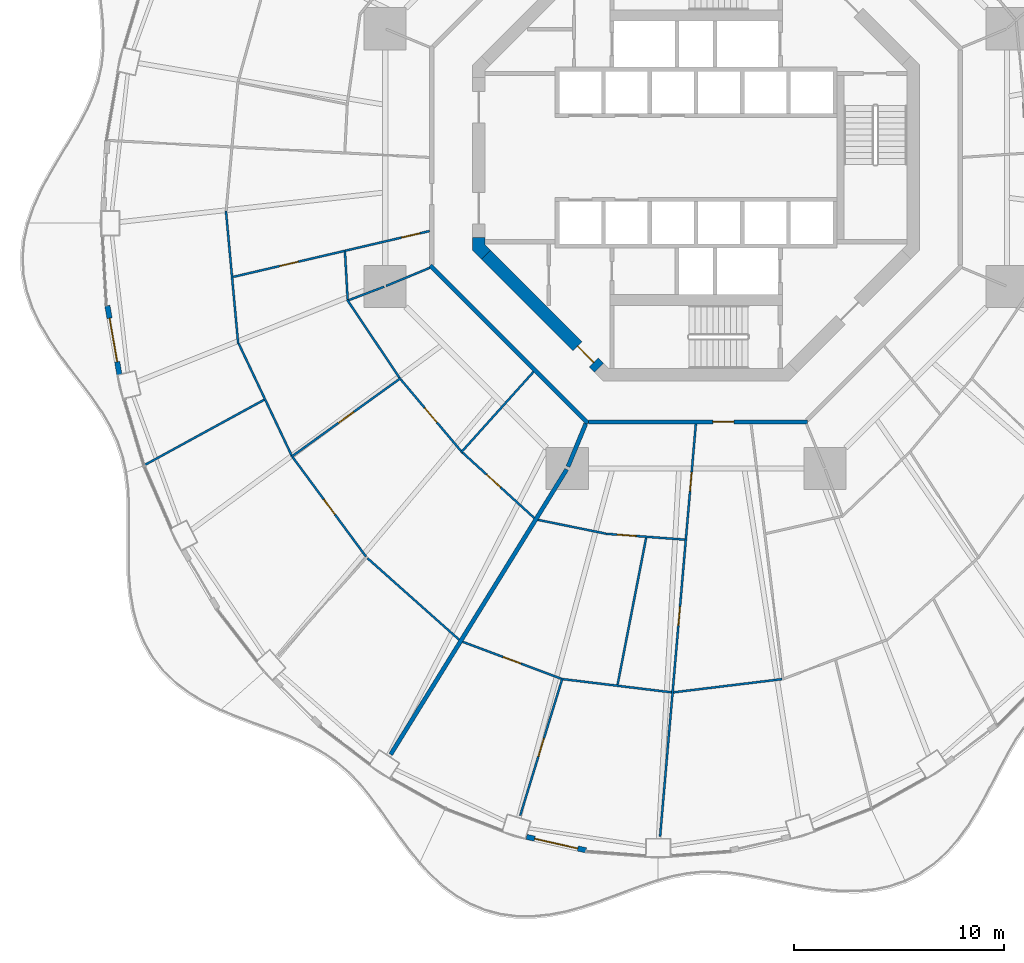
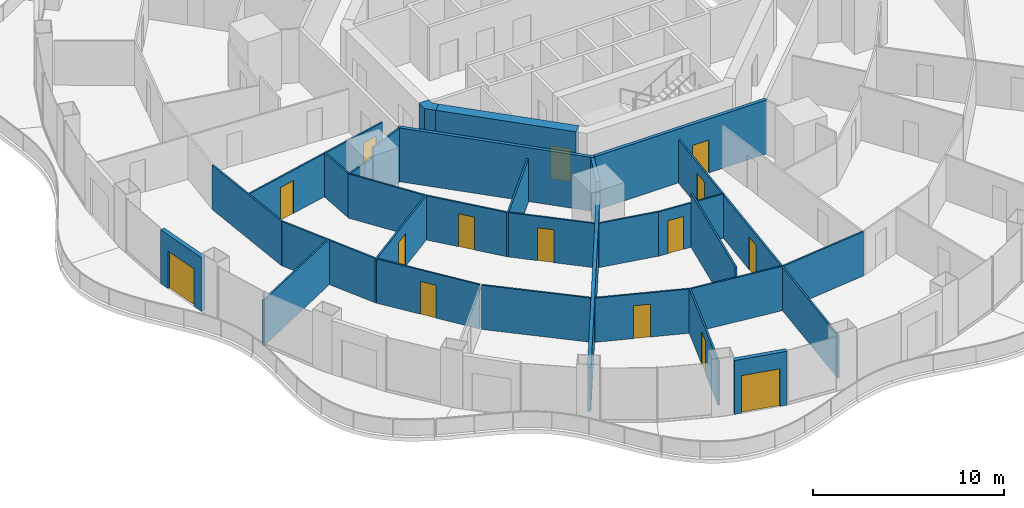
# One storey, part 12 of 20: 30 walls, 15 doors, 15 openings.
"""IFC4 building model written with IfcOpenShell, lengths in metres."""

from ifc_helpers import new_model, si_unit, direction, frame, frame_2d, origin, place, context, subcontext, project, spatial, polyline, rectangle, outline, extrude, material, layer, layer_set, type_object, element, fill, save


model = new_model("IFC4")

# Units and contexts
model_context = context("Model", 3, precision=1e-05, world=origin(), true_north=direction((0.0, 1.0)))
body_context = subcontext(model_context, "Body", "Model", "MODEL_VIEW")
ifc_project = project(units=[si_unit("LENGTHUNIT", "METRE"), si_unit("AREAUNIT", "SQUARE_METRE"), si_unit("VOLUMEUNIT", "CUBIC_METRE"), si_unit("PLANEANGLEUNIT", "RADIAN"), si_unit("MASSUNIT", "GRAM", prefix="KILO")], contexts=[model_context])

# Site, building, storey
site_placement = place(None, origin())
site = spatial("IfcSite", under=ifc_project, at=site_placement, CompositionType="ELEMENT")
building_placement = place(site_placement, origin())
building = spatial("IfcBuilding", under=site, at=building_placement, Name="Nagisa Residences", CompositionType="ELEMENT")
storey_placement = place(building_placement, frame((0.0, 0.0, 145.5)))
storey = spatial("IfcBuildingStorey", under=building, at=storey_placement, Name="L36", CompositionType="ELEMENT", Elevation=145.5)

# Walls
ifc_material_1 = material(Name="Gypsum board on steel studs", Category="steel")
ifc_layer_1 = layer(ifc_material_1, 0.199951171875)
ifc_layer_set_1 = layer_set([ifc_layer_1], Name="Apartment compartment wall EI60 200")
wall_type_1 = type_object("IfcWallType", Name="Apartment compartment wall EI60 200", PredefinedType="PARTITIONING", material=ifc_layer_set_1)
wall_1_placement = place(storey_placement, frame((-5.24267578125, -12.6572265625, 0.0), z_axis=(0.0, 0.0, 1.0), x_axis=(-0.382818775282, -0.923823460025, 0.0)))
element("IfcWall", 1, at=wall_1_placement, inside=storey, type_object=wall_type_1, Name="wall:L36:u02", PredefinedType="PARTITIONING", context=body_context, shape_type="SweptSolid", body=[
    extrude(rectangle(XDim=2.200927734375, YDim=0.199951171875, at=frame_2d((1.1005859375, 0.0))), origin(), (0.0, 0.0, 1.0), 3.43994140625),
])
wall_2_placement = place(storey_placement, frame((-6.149169921875, -14.82470703125, 0.0), z_axis=(0.0, 0.0, 1.0), x_axis=(-0.525406383516, -0.85085141603, 0.0)))
element("IfcWall", 2, at=wall_2_placement, inside=storey, type_object=wall_type_1, Name="wall:L36:u03", PredefinedType="PARTITIONING", context=body_context, shape_type="SweptSolid", body=[
    extrude(rectangle(XDim=15.9248046875, YDim=0.199951171875, at=frame_2d((7.96240234375, 0.0))), origin(), (0.0, 0.0, 1.0), 2.827880859375),
])
ifc_material_2 = material(Name="Gypsum board on steel studs", Category="steel")
ifc_layer_2 = layer(ifc_material_2, 0.199951171875)
ifc_layer_set_2 = layer_set([ifc_layer_2], Name="Apartment entry wall EI60 200")
wall_type_2 = type_object("IfcWallType", Name="Apartment entry wall EI60 200", PredefinedType="PARTITIONING", material=ifc_layer_set_2)
wall_3_placement = place(storey_placement, frame((-12.635498046875, -5.1337890625, 0.0), z_axis=(0.0, 0.0, 1.0), x_axis=(0.707106781187, -0.707106781187, 0.0)))
element("IfcWall", 3, at=wall_3_placement, inside=storey, type_object=wall_type_2, Name="wall:L36:u09", PredefinedType="PARTITIONING", context=body_context, shape_type="SweptSolid", body=[
    extrude(rectangle(XDim=10.609130859375, YDim=0.199951171875, at=frame_2d((5.3046875, 0.0))), origin(), (0.0, 0.0, 1.0), 3.43994140625),
])

# Wall, opening, door
wall_4_placement = place(storey_placement, frame((-5.1044921875, -12.564697265625, 0.0), z_axis=(0.0, 0.0, 1.0), x_axis=(1.0, 0.0, 0.0)))
wall_4 = element("IfcWall", 4, at=wall_4_placement, inside=storey, type_object=wall_type_2, Name="wall:L36:u10", PredefinedType="PARTITIONING", context=body_context, shape_type="SweptSolid", body=[
    extrude(rectangle(XDim=10.408935546875, YDim=0.199951171875, at=frame_2d((5.20458984375, 0.0))), origin(), (0.0, 0.0, 1.0), 3.43994140625),
])
opening_1_placement = place(wall_4_placement, frame((5.905517578125, 0.0, 0.0)))
opening_1 = element("IfcOpeningElement", 5, at=opening_1_placement, cuts=wall_4, Name="Opening L36-U01", PredefinedType="OPENING", context=body_context, shape_type="SweptSolid", body=[
    extrude(rectangle(XDim=1.0, YDim=2.10009765625, at=frame_2d((0.5, 1.050048828125))), frame((0.0, 0.10986328125, 0.0), z_axis=(0.0, -1.0, 0.0), x_axis=(1.0, 0.0, 0.0)), (0.0, 0.0, 1.0), 0.219970703125),
])
ifc_material_3 = material(Name="Timber fire door set", Category="wood")
door_type_1 = type_object("IfcDoorType", Name="Apartment entry door FD30S 1000x2100", OperationType="NOTDEFINED", PredefinedType="DOOR", material=ifc_material_3)
door_1_placement = place(opening_1_placement, frame((1.0, 0.0, 0.0), x_axis=(-1.0, 0.0, 0.0)))
door_1 = element("IfcDoor", 6, at=door_1_placement, inside=storey, type_object=door_type_1, Name="Entry door, Apartment 36A", OperationType="SINGLE_SWING_RIGHT", OverallHeight=2.10009765625, OverallWidth=1.0, PredefinedType="DOOR", context=body_context, shape_type="SweptSolid", body=[
    extrude(rectangle(XDim=1.0, YDim=2.10009765625, at=frame_2d((0.5, 1.050048828125))), frame((0.0, 0.02490234375, 0.0), z_axis=(0.0, -1.0, 0.0), x_axis=(1.0, 0.0, 0.0)), (0.0, 0.0, 1.0), 0.050048828125),
])
fill(opening_1, door_1)

# Wall
ifc_material_4 = material(Name="Gypsum board on steel studs", Category="steel")
ifc_layer_3 = layer(ifc_material_4, 0.10009765625)
ifc_layer_set_3 = layer_set([ifc_layer_3], Name="Apartment partition 100")
wall_type_3 = type_object("IfcWallType", Name="Apartment partition 100", PredefinedType="PARTITIONING", material=ifc_layer_set_3)
wall_5_placement = place(storey_placement, frame((-22.346923828125, -2.54248046875, 0.0), z_axis=(0.0, 0.0, 1.0), x_axis=(0.091783634244, -0.995778973711, 0.0)))
element("IfcWall", 7, at=wall_5_placement, inside=storey, type_object=wall_type_3, Name="wall:L36:u56", PredefinedType="PARTITIONING", context=body_context, shape_type="SweptSolid", body=[
    extrude(rectangle(XDim=6.314697265625, YDim=0.10009765625, at=frame_2d((3.1572265625, 0.0))), origin(), (0.0, 0.0, 1.0), 2.827880859375),
])

# Wall, openings, doors
wall_6_placement = place(storey_placement, frame((-12.662109375, -3.492431640625, 0.0), z_axis=(0.0, 0.0, 1.0), x_axis=(-0.973798787998, -0.227411346448, 0.0)))
wall_6 = element("IfcWall", 8, at=wall_6_placement, inside=storey, type_object=wall_type_3, Name="wall:L36:u57", PredefinedType="PARTITIONING", context=body_context, shape_type="SweptSolid", body=[
    extrude(rectangle(XDim=9.59765625, YDim=0.10009765625, at=frame_2d((4.798828125, 0.0))), origin(), (0.0, 0.0, 1.0), 2.756103515625),
])
opening_2_placement = place(wall_6_placement, frame((0.47705078125, 0.0, 0.0)))
opening_2 = element("IfcOpeningElement", 9, at=opening_2_placement, cuts=wall_6, Name="Opening L36-U27", PredefinedType="OPENING", context=body_context, shape_type="SweptSolid", body=[
    extrude(rectangle(XDim=0.89990234375, YDim=2.10009765625, at=frame_2d((0.449951171875, 1.050048828125))), frame((0.0, 0.06005859375, 0.0), z_axis=(0.0, -1.0, 0.0), x_axis=(1.0, 0.0, 0.0)), (0.0, 0.0, 1.0), 0.1201171875),
])
opening_3_placement = place(wall_6_placement, frame((6.419921875, 0.0, 0.0)))
opening_3 = element("IfcOpeningElement", 10, at=opening_3_placement, cuts=wall_6, Name="Opening L36-U30", PredefinedType="OPENING", context=body_context, shape_type="SweptSolid", body=[
    extrude(rectangle(XDim=0.89990234375, YDim=2.10009765625, at=frame_2d((0.449951171875, 1.050048828125))), frame((0.0, 0.06005859375, 0.0), z_axis=(0.0, -1.0, 0.0), x_axis=(1.0, 0.0, 0.0)), (0.0, 0.0, 1.0), 0.1201171875),
])
ifc_material_5 = material(Name="Timber door set", Category="wood")
door_type_2 = type_object("IfcDoorType", Name="Apartment door 900x2100", OperationType="NOTDEFINED", PredefinedType="DOOR", material=ifc_material_5)
door_2_placement = place(opening_2_placement, origin())
door_2 = element("IfcDoor", 11, at=door_2_placement, inside=storey, type_object=door_type_2, Name="Door to family bathroom, Apartment 36B", OperationType="SINGLE_SWING_LEFT", OverallHeight=2.10009765625, OverallWidth=0.89990234375, PredefinedType="DOOR", context=body_context, shape_type="SweptSolid", body=[
    extrude(rectangle(XDim=0.89990234375, YDim=2.10009765625, at=frame_2d((0.449951171875, 1.050048828125))), frame((0.0, 0.02490234375, 0.0), z_axis=(0.0, -1.0, 0.0), x_axis=(1.0, 0.0, 0.0)), (0.0, 0.0, 1.0), 0.050048828125),
])
fill(opening_2, door_2)
door_3_placement = place(opening_3_placement, origin())
door_3 = element("IfcDoor", 12, at=door_3_placement, inside=storey, type_object=door_type_2, Name="Door to family room, Apartment 36B", OperationType="SINGLE_SWING_RIGHT", OverallHeight=2.10009765625, OverallWidth=0.89990234375, PredefinedType="DOOR", context=body_context, shape_type="SweptSolid", body=[
    extrude(rectangle(XDim=0.89990234375, YDim=2.10009765625, at=frame_2d((0.449951171875, 1.050048828125))), frame((0.0, 0.02490234375, 0.0), z_axis=(0.0, -1.0, 0.0), x_axis=(1.0, 0.0, 0.0)), (0.0, 0.0, 1.0), 0.050048828125),
])
fill(opening_3, door_3)

# Walls
wall_7_placement = place(storey_placement, frame((-16.691162109375, -4.45361328125, 0.0), z_axis=(0.0, 0.0, 1.0), x_axis=(0.05596405841, -0.998432784, 0.0)))
element("IfcWall", 13, at=wall_7_placement, inside=storey, type_object=wall_type_3, Name="wall:L36:u58", PredefinedType="PARTITIONING", context=body_context, shape_type="SweptSolid", body=[
    extrude(rectangle(XDim=2.299072265625, YDim=0.10009765625, at=frame_2d((1.1494140625, 0.0))), origin(), (0.0, 0.0, 1.0), 2.827880859375),
])
wall_8_placement = place(storey_placement, frame((-12.6572265625, -5.24267578125, 0.0), z_axis=(0.0, 0.0, 1.0), x_axis=(-0.923864733477, -0.382719158442, 0.0)))
element("IfcWall", 14, at=wall_8_placement, inside=storey, type_object=wall_type_3, Name="wall:L36:u59", PredefinedType="PARTITIONING", context=body_context, shape_type="SweptSolid", body=[
    extrude(rectangle(XDim=2.25, YDim=0.10009765625, at=frame_2d((1.125, 0.0))), origin(), (0.0, 0.0, 1.0), 3.43994140625),
])
wall_9_placement = place(storey_placement, frame((-14.828857421875, -6.140625, 0.0), z_axis=(0.0, 0.0, 1.0), x_axis=(-0.934704367514, -0.355426146128, 0.0)))
element("IfcWall", 15, at=wall_9_placement, inside=storey, type_object=wall_type_3, Name="wall:L36:u60", PredefinedType="PARTITIONING", context=body_context, shape_type="SweptSolid", body=[
    extrude(rectangle(XDim=1.8017578125, YDim=0.10009765625, at=frame_2d((0.90087890625, 0.0))), origin(), (0.0, 0.0, 1.0), 2.827880859375),
])
wall_10_placement = place(storey_placement, frame((-16.58740234375, -6.75732421875, 0.0), z_axis=(0.0, 0.0, 1.0), x_axis=(0.55699383956, -0.830516623971, 0.0)))
element("IfcWall", 16, at=wall_10_placement, inside=storey, type_object=wall_type_3, Name="wall:L36:u61", PredefinedType="PARTITIONING", context=body_context, shape_type="SweptSolid", body=[
    extrude(rectangle(XDim=4.466552734375, YDim=0.10009765625, at=frame_2d((2.2333984375, 0.0))), origin(), (0.0, 0.0, 1.0), 2.827880859375),
])
wall_11_placement = place(storey_placement, frame((-21.75048828125, -8.826171875, 0.0), z_axis=(0.0, 0.0, 1.0), x_axis=(0.427739388908, -0.903902104863, 0.0)))
element("IfcWall", 17, at=wall_11_placement, inside=storey, type_object=wall_type_3, Name="wall:L36:u62", PredefinedType="PARTITIONING", context=body_context, shape_type="SweptSolid", body=[
    extrude(rectangle(XDim=5.89892578125, YDim=0.10009765625, at=frame_2d((2.949462890625, 0.0))), origin(), (0.0, 0.0, 1.0), 2.827880859375),
])
wall_12_placement = place(storey_placement, frame((-20.53271484375, -11.51611328125, 0.0), z_axis=(0.0, 0.0, 1.0), x_axis=(-0.877731656478, -0.479152521872, 0.0)))
element("IfcWall", 18, at=wall_12_placement, inside=storey, type_object=wall_type_3, Name="wall:L36:u63", PredefinedType="PARTITIONING", context=body_context, shape_type="SweptSolid", body=[
    extrude(rectangle(XDim=6.5478515625, YDim=0.10009765625, at=frame_2d((3.27392578125, 0.0))), origin(), (0.0, 0.0, 1.0), 2.905029296875),
])

# Wall, opening, door
wall_13_placement = place(storey_placement, frame((-14.03125, -10.479248046875, 0.0), z_axis=(0.0, 0.0, 1.0), x_axis=(-0.811653955345, -0.584138559567, 0.0)))
wall_13 = element("IfcWall", 19, at=wall_13_placement, inside=storey, type_object=wall_type_3, Name="wall:L36:u64", PredefinedType="PARTITIONING", context=body_context, shape_type="SweptSolid", body=[
    extrude(rectangle(XDim=6.425537109375, YDim=0.10009765625, at=frame_2d((3.212890625, 0.0))), origin(), (0.0, 0.0, 1.0), 2.827880859375),
])
opening_4_placement = place(wall_13_placement, frame((2.7626953125, 0.0, 0.0)))
opening_4 = element("IfcOpeningElement", 20, at=opening_4_placement, cuts=wall_13, Name="Opening L36-U31", PredefinedType="OPENING", context=body_context, shape_type="SweptSolid", body=[
    extrude(rectangle(XDim=0.89990234375, YDim=2.10009765625, at=frame_2d((0.449951171875, 1.050048828125))), frame((0.0, 0.06005859375, 0.0), z_axis=(0.0, -1.0, 0.0), x_axis=(1.0, 0.0, 0.0)), (0.0, 0.0, 1.0), 0.1201171875),
])
door_4_placement = place(opening_4_placement, origin())
door_4 = element("IfcDoor", 21, at=door_4_placement, inside=storey, type_object=door_type_2, Name="Door to dining room, Apartment 36B", OperationType="SINGLE_SWING_LEFT", OverallHeight=2.10009765625, OverallWidth=0.89990234375, PredefinedType="DOOR", context=body_context, shape_type="SweptSolid", body=[
    extrude(rectangle(XDim=0.89990234375, YDim=2.10009765625, at=frame_2d((0.449951171875, 1.050048828125))), frame((0.0, 0.02490234375, 0.0), z_axis=(0.0, -1.0, 0.0), x_axis=(1.0, 0.0, 0.0)), (0.0, 0.0, 1.0), 0.050048828125),
])
fill(opening_4, door_4)

wall_14_placement = place(storey_placement, frame((-14.03955078125, -10.546630859375, 0.0), z_axis=(0.0, 0.0, 1.0), x_axis=(0.644036028289, -0.764995159635, 0.0)))
wall_14 = element("IfcWall", 22, at=wall_14_placement, inside=storey, type_object=wall_type_3, Name="wall:L36:u65", PredefinedType="PARTITIONING", context=body_context, shape_type="SweptSolid", body=[
    extrude(rectangle(XDim=4.448486328125, YDim=0.10009765625, at=frame_2d((2.22412109375, 0.0))), origin(), (0.0, 0.0, 1.0), 2.827880859375),
])
opening_5_placement = place(wall_14_placement, frame((1.7744140625, 0.0, 0.0)))
opening_5 = element("IfcOpeningElement", 23, at=opening_5_placement, cuts=wall_14, Name="Opening L36-U38", PredefinedType="OPENING", context=body_context, shape_type="SweptSolid", body=[
    extrude(rectangle(XDim=0.89990234375, YDim=2.10009765625, at=frame_2d((0.449951171875, 1.050048828125))), frame((0.0, 0.06005859375, 0.0), z_axis=(0.0, -1.0, 0.0), x_axis=(1.0, 0.0, 0.0)), (0.0, 0.0, 1.0), 0.1201171875),
])
door_5_placement = place(opening_5_placement, origin())
door_5 = element("IfcDoor", 24, at=door_5_placement, inside=storey, type_object=door_type_2, Name="Door to store, Apartment 36B", OperationType="SINGLE_SWING_RIGHT", OverallHeight=2.10009765625, OverallWidth=0.89990234375, PredefinedType="DOOR", context=body_context, shape_type="SweptSolid", body=[
    extrude(rectangle(XDim=0.89990234375, YDim=2.10009765625, at=frame_2d((0.449951171875, 1.050048828125))), frame((0.0, 0.02490234375, 0.0), z_axis=(0.0, -1.0, 0.0), x_axis=(1.0, 0.0, 0.0)), (0.0, 0.0, 1.0), 0.050048828125),
])
fill(opening_5, door_5)

wall_15_placement = place(storey_placement, frame((-19.17626953125, -14.24365234375, 0.0), z_axis=(0.0, 0.0, 1.0), x_axis=(0.593532053206, -0.80481035146, 0.0)))
wall_15 = element("IfcWall", 25, at=wall_15_placement, inside=storey, type_object=wall_type_3, Name="wall:L36:u66", PredefinedType="PARTITIONING", context=body_context, shape_type="SweptSolid", body=[
    extrude(rectangle(XDim=5.8759765625, YDim=0.10009765625, at=frame_2d((2.93798828125, 0.0))), origin(), (0.0, 0.0, 1.0), 2.827880859375),
])
opening_6_placement = place(wall_15_placement, frame((2.48779296875, 0.0, 0.0)))
opening_6 = element("IfcOpeningElement", 26, at=opening_6_placement, cuts=wall_15, Name="Opening L36-U35", PredefinedType="OPENING", context=body_context, shape_type="SweptSolid", body=[
    extrude(rectangle(XDim=0.89990234375, YDim=2.10009765625, at=frame_2d((0.449951171875, 1.050048828125))), frame((0.0, 0.06005859375, 0.0), z_axis=(0.0, -1.0, 0.0), x_axis=(1.0, 0.0, 0.0)), (0.0, 0.0, 1.0), 0.1201171875),
])
door_6_placement = place(opening_6_placement, frame((0.89990234375, 0.0, 0.0), x_axis=(-1.0, 0.0, 0.0)))
door_6 = element("IfcDoor", 27, at=door_6_placement, inside=storey, type_object=door_type_2, Name="Door to living room, Apartment 36B", OperationType="SINGLE_SWING_RIGHT", OverallHeight=2.10009765625, OverallWidth=0.89990234375, PredefinedType="DOOR", context=body_context, shape_type="SweptSolid", body=[
    extrude(rectangle(XDim=0.89990234375, YDim=2.10009765625, at=frame_2d((0.449951171875, 1.050048828125))), frame((0.0, 0.02490234375, 0.0), z_axis=(0.0, -1.0, 0.0), x_axis=(1.0, 0.0, 0.0)), (0.0, 0.0, 1.0), 0.050048828125),
])
fill(opening_6, door_6)

# Wall
wall_16_placement = place(storey_placement, frame((-7.724853515625, -10.185791015625, 0.0), z_axis=(0.0, 0.0, 1.0), x_axis=(-0.668483825034, -0.743726680756, 0.0)))
element("IfcWall", 28, at=wall_16_placement, inside=storey, type_object=wall_type_3, Name="wall:L36:u67", PredefinedType="PARTITIONING", context=body_context, shape_type="SweptSolid", body=[
    extrude(rectangle(XDim=5.162353515625, YDim=0.10009765625, at=frame_2d((2.5810546875, 0.0))), origin(), (0.0, 0.0, 1.0), 2.756103515625),
])

# Wall, opening, door
wall_17_placement = place(storey_placement, frame((-11.10546875, -14.021484375, 0.0), z_axis=(0.0, 0.0, 1.0), x_axis=(0.738880014758, -0.673837015747, 0.0)))
wall_17 = element("IfcWall", 29, at=wall_17_placement, inside=storey, type_object=wall_type_3, Name="wall:L36:u68", PredefinedType="PARTITIONING", context=body_context, shape_type="SweptSolid", body=[
    extrude(rectangle(XDim=4.62060546875, YDim=0.10009765625, at=frame_2d((2.310302734375, 0.0))), origin(), (0.0, 0.0, 1.0), 2.827880859375),
])
opening_7_placement = place(wall_17_placement, frame((1.55810546875, 0.0, 0.0)))
opening_7 = element("IfcOpeningElement", 30, at=opening_7_placement, cuts=wall_17, Name="Opening L36-U39", PredefinedType="OPENING", context=body_context, shape_type="SweptSolid", body=[
    extrude(rectangle(XDim=0.89990234375, YDim=2.10009765625, at=frame_2d((0.449951171875, 1.050048828125))), frame((0.0, 0.06005859375, 0.0), z_axis=(0.0, -1.0, 0.0), x_axis=(1.0, 0.0, 0.0)), (0.0, 0.0, 1.0), 0.1201171875),
])
door_7_placement = place(opening_7_placement, origin())
door_7 = element("IfcDoor", 31, at=door_7_placement, inside=storey, type_object=door_type_2, Name="Door to laundry, Apartment 36B", OperationType="SINGLE_SWING_LEFT", OverallHeight=2.10009765625, OverallWidth=0.89990234375, PredefinedType="DOOR", context=body_context, shape_type="SweptSolid", body=[
    extrude(rectangle(XDim=0.89990234375, YDim=2.10009765625, at=frame_2d((0.449951171875, 1.050048828125))), frame((0.0, 0.02490234375, 0.0), z_axis=(0.0, -1.0, 0.0), x_axis=(1.0, 0.0, 0.0)), (0.0, 0.0, 1.0), 0.050048828125),
])
fill(opening_7, door_7)

# Walls
wall_18_placement = place(storey_placement, frame((-15.621826171875, -19.046142578125, 0.0), z_axis=(0.0, 0.0, 1.0), x_axis=(0.747342322463, -0.664439201925, 0.0)))
element("IfcWall", 32, at=wall_18_placement, inside=storey, type_object=wall_type_3, Name="wall:L36:u70", PredefinedType="PARTITIONING", context=body_context, shape_type="SweptSolid", body=[
    extrude(rectangle(XDim=5.830810546875, YDim=0.10009765625, at=frame_2d((2.91552734375, 0.0))), origin(), (0.0, 0.0, 1.0), 2.827880859375),
])
wall_19_placement = place(storey_placement, frame((-7.51953125, -17.222412109375, 0.0), z_axis=(0.0, 0.0, 1.0), x_axis=(0.979972193175, -0.199134378255, 0.0)))
element("IfcWall", 33, at=wall_19_placement, inside=storey, type_object=wall_type_3, Name="wall:L36:u71", PredefinedType="PARTITIONING", context=body_context, shape_type="SweptSolid", body=[
    extrude(rectangle(XDim=3.296630859375, YDim=0.10009765625, at=frame_2d((1.6484375, 0.0))), origin(), (0.0, 0.0, 1.0), 2.827880859375),
])

# Wall, opening, door
wall_20_placement = place(storey_placement, frame((-11.095703125, -23.02197265625, 0.0), z_axis=(0.0, 0.0, 1.0), x_axis=(0.936725688471, -0.350064257758, 0.0)))
wall_20 = element("IfcWall", 34, at=wall_20_placement, inside=storey, type_object=wall_type_3, Name="wall:L36:u72", PredefinedType="PARTITIONING", context=body_context, shape_type="SweptSolid", body=[
    extrude(rectangle(XDim=5.002685546875, YDim=0.10009765625, at=frame_2d((2.50146484375, 0.0))), origin(), (0.0, 0.0, 1.0), 2.827880859375),
])
opening_8_placement = place(wall_20_placement, frame((2.05126953125, 0.0, 0.0)))
opening_8 = element("IfcOpeningElement", 35, at=opening_8_placement, cuts=wall_20, Name="Opening L36-U11", PredefinedType="OPENING", context=body_context, shape_type="SweptSolid", body=[
    extrude(rectangle(XDim=0.89990234375, YDim=2.10009765625, at=frame_2d((0.449951171875, 1.050048828125))), frame((0.0, 0.06005859375, 0.0), z_axis=(0.0, -1.0, 0.0), x_axis=(1.0, 0.0, 0.0)), (0.0, 0.0, 1.0), 0.1201171875),
])
door_8_placement = place(opening_8_placement, frame((0.89990234375, 0.0, 0.0), x_axis=(-1.0, 0.0, 0.0)))
door_8 = element("IfcDoor", 36, at=door_8_placement, inside=storey, type_object=door_type_2, Name="Door to family room, Apartment 36A", OperationType="SINGLE_SWING_RIGHT", OverallHeight=2.10009765625, OverallWidth=0.89990234375, PredefinedType="DOOR", context=body_context, shape_type="SweptSolid", body=[
    extrude(rectangle(XDim=0.89990234375, YDim=2.10009765625, at=frame_2d((0.449951171875, 1.050048828125))), frame((0.0, 0.02490234375, 0.0), z_axis=(0.0, -1.0, 0.0), x_axis=(1.0, 0.0, 0.0)), (0.0, 0.0, 1.0), 0.050048828125),
])
fill(opening_8, door_8)

wall_21_placement = place(storey_placement, frame((-4.289794921875, -17.88525390625, 0.0), z_axis=(0.0, 0.0, 1.0), x_axis=(0.997272353708, -0.073809569363, 0.0)))
wall_21 = element("IfcWall", 37, at=wall_21_placement, inside=storey, type_object=wall_type_3, Name="wall:L36:u73", PredefinedType="PARTITIONING", context=body_context, shape_type="SweptSolid", body=[
    extrude(rectangle(XDim=3.76416015625, YDim=0.10009765625, at=frame_2d((1.882080078125, 0.0))), origin(), (0.0, 0.0, 1.0), 2.827880859375),
])
opening_9_placement = place(wall_21_placement, frame((0.541015625, 0.0, 0.0)))
opening_9 = element("IfcOpeningElement", 38, at=opening_9_placement, cuts=wall_21, Name="Opening L36-U04", PredefinedType="OPENING", context=body_context, shape_type="SweptSolid", body=[
    extrude(rectangle(XDim=0.89990234375, YDim=2.10009765625, at=frame_2d((0.449951171875, 1.050048828125))), frame((0.0, 0.06005859375, 0.0), z_axis=(0.0, -1.0, 0.0), x_axis=(1.0, 0.0, 0.0)), (0.0, 0.0, 1.0), 0.1201171875),
])
door_9_placement = place(opening_9_placement, frame((0.89990234375, 0.0, 0.0), x_axis=(-1.0, 0.0, 0.0)))
door_9 = element("IfcDoor", 39, at=door_9_placement, inside=storey, type_object=door_type_2, Name="Door to kitchen, Apartment 36A", OperationType="SINGLE_SWING_LEFT", OverallHeight=2.10009765625, OverallWidth=0.89990234375, PredefinedType="DOOR", context=body_context, shape_type="SweptSolid", body=[
    extrude(rectangle(XDim=0.89990234375, YDim=2.10009765625, at=frame_2d((0.449951171875, 1.050048828125))), frame((0.0, 0.02490234375, 0.0), z_axis=(0.0, -1.0, 0.0), x_axis=(1.0, 0.0, 0.0)), (0.0, 0.0, 1.0), 0.050048828125),
])
fill(opening_9, door_9)

wall_22_placement = place(storey_placement, frame((-6.34814453125, -24.74267578125, 0.0), z_axis=(0.0, 0.0, 1.0), x_axis=(-0.293988034243, -0.955809100041, 0.0)))
wall_22 = element("IfcWall", 40, at=wall_22_placement, inside=storey, type_object=wall_type_3, Name="wall:L36:u74", PredefinedType="PARTITIONING", context=body_context, shape_type="SweptSolid", body=[
    extrude(rectangle(XDim=6.84033203125, YDim=0.10009765625, at=frame_2d((3.420166015625, 0.0))), origin(), (0.0, 0.0, 1.0), 2.827880859375),
])
opening_10_placement = place(wall_22_placement, frame((2.9951171875, 0.0, 0.0)))
opening_10 = element("IfcOpeningElement", 41, at=opening_10_placement, cuts=wall_22, Name="Opening L36-U12", PredefinedType="OPENING", context=body_context, shape_type="SweptSolid", body=[
    extrude(rectangle(XDim=0.89990234375, YDim=2.10009765625, at=frame_2d((0.449951171875, 1.050048828125))), frame((0.0, 0.06005859375, 0.0), z_axis=(0.0, -1.0, 0.0), x_axis=(1.0, 0.0, 0.0)), (0.0, 0.0, 1.0), 0.1201171875),
])
door_10_placement = place(opening_10_placement, origin())
door_10 = element("IfcDoor", 42, at=door_10_placement, inside=storey, type_object=door_type_2, Name="Door to master bedroom, Apartment 36A", OperationType="SINGLE_SWING_RIGHT", OverallHeight=2.10009765625, OverallWidth=0.89990234375, PredefinedType="DOOR", context=body_context, shape_type="SweptSolid", body=[
    extrude(rectangle(XDim=0.89990234375, YDim=2.10009765625, at=frame_2d((0.449951171875, 1.050048828125))), frame((0.0, 0.02490234375, 0.0), z_axis=(0.0, -1.0, 0.0), x_axis=(1.0, 0.0, 0.0)), (0.0, 0.0, 1.0), 0.050048828125),
])
fill(opening_10, door_10)

# Walls
wall_23_placement = place(storey_placement, frame((-6.313232421875, -24.796630859375, 0.0), z_axis=(0.0, 0.0, 1.0), x_axis=(0.992692993044, -0.120667400577, 0.0)))
element("IfcWall", 43, at=wall_23_placement, inside=storey, type_object=wall_type_3, Name="wall:L36:u75", PredefinedType="PARTITIONING", context=body_context, shape_type="SweptSolid", body=[
    extrude(rectangle(XDim=5.185546875, YDim=0.10009765625, at=frame_2d((2.5927734375, 0.0))), origin(), (0.0, 0.0, 1.0), 2.827880859375),
])
wall_24_placement = place(storey_placement, frame((-2.37255859375, -18.076904296875, 0.0), z_axis=(0.0, 0.0, 1.0), x_axis=(-0.190800770119, -0.98162878224, 0.0)))
element("IfcWall", 44, at=wall_24_placement, inside=storey, type_object=wall_type_3, Name="wall:L36:u76", PredefinedType="PARTITIONING", context=body_context, shape_type="SweptSolid", body=[
    extrude(rectangle(XDim=7.1142578125, YDim=0.10009765625, at=frame_2d((3.55712890625, 0.0))), origin(), (0.0, 0.0, 1.0), 3.43994140625),
])

# Wall, openings, doors
wall_25_placement = place(storey_placement, frame((-0.008544921875, -12.664306640625, 0.0), z_axis=(0.0, 0.0, 1.0), x_axis=(-0.086431005932, -0.996257838721, 0.0)))
wall_25 = element("IfcWall", 45, at=wall_25_placement, inside=storey, type_object=wall_type_3, Name="wall:L36:u77", PredefinedType="PARTITIONING", context=body_context, shape_type="SweptSolid", body=[
    extrude(rectangle(XDim=19.6796875, YDim=0.10009765625, at=frame_2d((9.83984375, 0.0))), origin(), (0.0, 0.0, 1.0), 2.756103515625),
])
opening_11_placement = place(wall_25_placement, frame((2.3115234375, 0.0, 0.0)))
opening_11 = element("IfcOpeningElement", 46, at=opening_11_placement, cuts=wall_25, Name="Opening L36-U02", PredefinedType="OPENING", context=body_context, shape_type="SweptSolid", body=[
    extrude(rectangle(XDim=0.89990234375, YDim=2.10009765625, at=frame_2d((0.449951171875, 1.050048828125))), frame((0.0, 0.06005859375, 0.0), z_axis=(0.0, -1.0, 0.0), x_axis=(1.0, 0.0, 0.0)), (0.0, 0.0, 1.0), 0.1201171875),
])
opening_12_placement = place(wall_25_placement, frame((8.717529296875, 0.0, 0.0)))
opening_12 = element("IfcOpeningElement", 47, at=opening_12_placement, cuts=wall_25, Name="Opening L36-U05", PredefinedType="OPENING", context=body_context, shape_type="SweptSolid", body=[
    extrude(rectangle(XDim=0.89990234375, YDim=2.10009765625, at=frame_2d((0.449951171875, 1.050048828125))), frame((0.0, 0.06005859375, 0.0), z_axis=(0.0, -1.0, 0.0), x_axis=(1.0, 0.0, 0.0)), (0.0, 0.0, 1.0), 0.1201171875),
])
door_11_placement = place(opening_11_placement, frame((0.89990234375, 0.0, 0.0), x_axis=(-1.0, 0.0, 0.0)))
door_11 = element("IfcDoor", 48, at=door_11_placement, inside=storey, type_object=door_type_2, Name="Door to store, Apartment 36A", OperationType="SINGLE_SWING_LEFT", OverallHeight=2.10009765625, OverallWidth=0.89990234375, PredefinedType="DOOR", context=body_context, shape_type="SweptSolid", body=[
    extrude(rectangle(XDim=0.89990234375, YDim=2.10009765625, at=frame_2d((0.449951171875, 1.050048828125))), frame((0.0, 0.02490234375, 0.0), z_axis=(0.0, -1.0, 0.0), x_axis=(1.0, 0.0, 0.0)), (0.0, 0.0, 1.0), 0.050048828125),
])
fill(opening_11, door_11)
door_12_placement = place(opening_12_placement, frame((0.89990234375, 0.0, 0.0), x_axis=(-1.0, 0.0, 0.0)))
door_12 = element("IfcDoor", 49, at=door_12_placement, inside=storey, type_object=door_type_2, Name="Door to family bathroom, Apartment 36A", OperationType="SINGLE_SWING_RIGHT", OverallHeight=2.10009765625, OverallWidth=0.89990234375, PredefinedType="DOOR", context=body_context, shape_type="SweptSolid", body=[
    extrude(rectangle(XDim=0.89990234375, YDim=2.10009765625, at=frame_2d((0.449951171875, 1.050048828125))), frame((0.0, 0.02490234375, 0.0), z_axis=(0.0, -1.0, 0.0), x_axis=(1.0, 0.0, 0.0)), (0.0, 0.0, 1.0), 0.050048828125),
])
fill(opening_12, door_12)

# Wall
wall_26_placement = place(storey_placement, frame((-1.06640625, -25.42236328125, 0.0), z_axis=(0.0, 0.0, 1.0), x_axis=(0.992692993044, 0.120667400577, 0.0)))
element("IfcWall", 50, at=wall_26_placement, inside=storey, type_object=wall_type_3, Name="wall:L36:u78", PredefinedType="PARTITIONING", context=body_context, shape_type="SweptSolid", body=[
    extrude(rectangle(XDim=5.185546875, YDim=0.10009765625, at=frame_2d((2.5927734375, 0.0))), origin(), (0.0, 0.0, 1.0), 2.827880859375),
])

# Wall, opening, door
ifc_material_6 = material(Name="Precast concrete C40/50", Category="concrete")
ifc_layer_4 = layer(ifc_material_6, 0.25)
ifc_layer_set_4 = layer_set([ifc_layer_4], Name="BALCONY DOOR WALL 250")
wall_type_4 = type_object("IfcWallType", Name="BALCONY DOOR WALL 250", PredefinedType="SOLIDWALL", material=ifc_layer_set_4)
wall_27_placement = place(storey_placement, frame((-27.4111328125, -10.320068359375, 0.0), z_axis=(0.0, 0.0, 1.0), x_axis=(-0.172163521006, 0.985068384446, 0.0)))
wall_27 = element("IfcWall", 51, at=wall_27_placement, inside=storey, type_object=wall_type_4, Name="wall:L36:bay25", PredefinedType="SOLIDWALL", context=body_context, shape_type="SweptSolid", body=[
    extrude(rectangle(XDim=3.33251953125, YDim=0.25, at=frame_2d((1.666259765625, 0.0))), origin(), (0.0, 0.0, 1.0), 3.43994140625),
])
opening_13_placement = place(wall_27_placement, frame((0.6162109375, 0.0, 0.0)))
opening_13 = element("IfcOpeningElement", 52, at=opening_13_placement, cuts=wall_27, Name="Opening BD-L36-09", PredefinedType="OPENING", context=body_context, shape_type="SweptSolid", body=[
    extrude(rectangle(XDim=2.10009765625, YDim=2.39990234375, at=frame_2d((1.050048828125, 1.199951171875))), frame((0.0, 0.135009765625, 0.0), z_axis=(0.0, -1.0, 0.0), x_axis=(1.0, 0.0, 0.0)), (0.0, 0.0, 1.0), 0.27001953125),
])
ifc_material_7 = material(Name="Aluminium and clear glass", Category="aluminium")
door_type_3 = type_object("IfcDoorType", Name="BALCONY SLIDING DOOR 2100x2400", OperationType="SLIDING_TO_LEFT", PredefinedType="DOOR", material=ifc_material_7)
door_13_placement = place(opening_13_placement, origin())
door_13 = element("IfcDoor", 53, at=door_13_placement, inside=storey, type_object=door_type_3, Name="door:L36:bay25", OperationType="SLIDING_TO_LEFT", OverallHeight=2.39990234375, OverallWidth=2.10009765625, PredefinedType="DOOR", context=body_context, shape_type="SweptSolid", body=[
    extrude(rectangle(XDim=2.10009765625, YDim=2.39990234375, at=frame_2d((1.050048828125, 1.199951171875))), frame((0.0, 0.02490234375, 0.0), z_axis=(0.0, -1.0, 0.0), x_axis=(1.0, 0.0, 0.0)), (0.0, 0.0, 1.0), 0.050048828125),
])
fill(opening_13, door_13)

wall_28_placement = place(storey_placement, frame((-5.23583984375, -32.932373046875, 0.0), z_axis=(0.0, 0.0, 1.0), x_axis=(-0.975339035722, 0.220711951186, 0.0)))
wall_28 = element("IfcWall", 54, at=wall_28_placement, inside=storey, type_object=wall_type_4, Name="wall:L36:bay34", PredefinedType="SOLIDWALL", context=body_context, shape_type="SweptSolid", body=[
    extrude(rectangle(XDim=2.890380859375, YDim=0.25, at=frame_2d((1.4453125, 0.0))), origin(), (0.0, 0.0, 1.0), 3.43994140625),
])
opening_14_placement = place(wall_28_placement, frame((0.395263671875, 0.0, 0.0)))
opening_14 = element("IfcOpeningElement", 55, at=opening_14_placement, cuts=wall_28, Name="Opening BD-L36-12", PredefinedType="OPENING", context=body_context, shape_type="SweptSolid", body=[
    extrude(rectangle(XDim=2.10009765625, YDim=2.39990234375, at=frame_2d((1.050048828125, 1.199951171875))), frame((0.0, 0.135009765625, 0.0), z_axis=(0.0, -1.0, 0.0), x_axis=(1.0, 0.0, 0.0)), (0.0, 0.0, 1.0), 0.27001953125),
])
door_14_placement = place(opening_14_placement, origin())
door_14 = element("IfcDoor", 56, at=door_14_placement, inside=storey, type_object=door_type_3, Name="door:L36:bay34", OperationType="SLIDING_TO_LEFT", OverallHeight=2.39990234375, OverallWidth=2.10009765625, PredefinedType="DOOR", context=body_context, shape_type="SweptSolid", body=[
    extrude(rectangle(XDim=2.10009765625, YDim=2.39990234375, at=frame_2d((1.050048828125, 1.199951171875))), frame((0.0, 0.02490234375, 0.0), z_axis=(0.0, -1.0, 0.0), x_axis=(1.0, 0.0, 0.0)), (0.0, 0.0, 1.0), 0.050048828125),
])
fill(opening_14, door_14)

ifc_material_8 = material(Name="Concrete C60", Category="concrete")
ifc_layer_5 = layer(ifc_material_8, 0.60009765625)
ifc_layer_set_5 = layer_set([ifc_layer_5], Name="Core shear wall 600")
wall_type_5 = type_object("IfcWallType", Name="Core shear wall 600", PredefinedType="SHEAR", material=ifc_layer_set_5)
wall_29_placement = place(storey_placement, frame((-9.98828125, -4.613037109375, 0.0), z_axis=(0.0, 0.0, 1.0), x_axis=(0.707106781187, -0.707106781187, 0.0)))
wall_29 = element("IfcWall", 57, at=wall_29_placement, inside=storey, type_object=wall_type_5, Name="wall:L36:core:flat5", PredefinedType="SHEAR", context=body_context, shape_type="SweptSolid", body=[
    extrude(rectangle(XDim=7.601806640625, YDim=0.60009765625, at=frame_2d((3.80078125, 0.0))), origin(), (0.0, 0.0, 1.0), 3.43994140625),
])
opening_15_placement = place(wall_29_placement, frame((6.15087890625, 0.0, 0.0)))
opening_15 = element("IfcOpeningElement", 58, at=opening_15_placement, cuts=wall_29, Name="Opening L36-C21", PredefinedType="OPENING", context=body_context, shape_type="SweptSolid", body=[
    extrude(rectangle(XDim=1.10009765625, YDim=2.10009765625, at=frame_2d((0.550048828125, 1.050048828125))), frame((0.0, 0.31005859375, 0.0), z_axis=(0.0, -1.0, 0.0), x_axis=(1.0, 0.0, 0.0)), (0.0, 0.0, 1.0), 0.6201171875),
])
ifc_material_9 = material(Name="Steel fire door", Category="steel")
door_type_4 = type_object("IfcDoorType", Name="Fire door EI60 1100x2100 single swing", OperationType="NOTDEFINED", PredefinedType="DOOR", material=ifc_material_9)
door_15_placement = place(opening_15_placement, origin())
door_15 = element("IfcDoor", 59, at=door_15_placement, inside=storey, type_object=door_type_4, Name="Housekeeping lobby door L36", OperationType="SINGLE_SWING_LEFT", OverallHeight=2.10009765625, OverallWidth=1.10009765625, PredefinedType="DOOR", context=body_context, shape_type="SweptSolid", body=[
    extrude(rectangle(XDim=1.10009765625, YDim=2.10009765625, at=frame_2d((0.550048828125, 1.050048828125))), frame((0.0, 0.02490234375, 0.0), z_axis=(0.0, -1.0, 0.0), x_axis=(1.0, 0.0, 0.0)), (0.0, 0.0, 1.0), 0.050048828125),
])
fill(opening_15, door_15)

# Wall
wall_30_placement = place(storey_placement, origin())
element("IfcWall", 60, at=wall_30_placement, inside=storey, type_object=wall_type_5, Name="wall:L36:core:pier4", PredefinedType="SHEAR", context=body_context, shape_type="SweptSolid", body=[
    extrude(outline(polyline([(-10.62451171875, -3.80078125), (-10.024658203125, -3.80078125), (-10.024658203125, -4.15234375), (-9.776123046875, -4.40087890625), (-10.200439453125, -4.8251953125), (-10.62451171875, -4.40087890625), (-10.62451171875, -3.80078125)])), origin(), (0.0, 0.0, 1.0), 3.43994140625),
])

save(model, "model.ifc")
